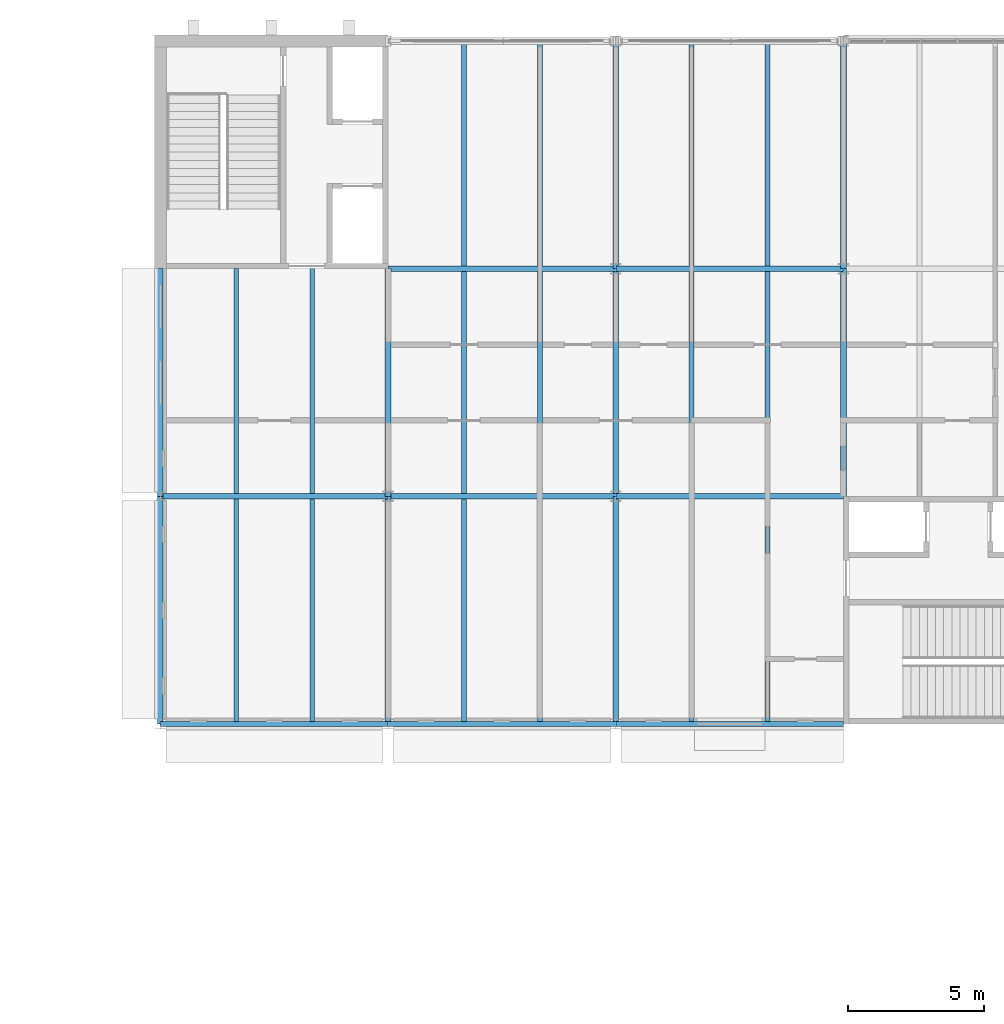
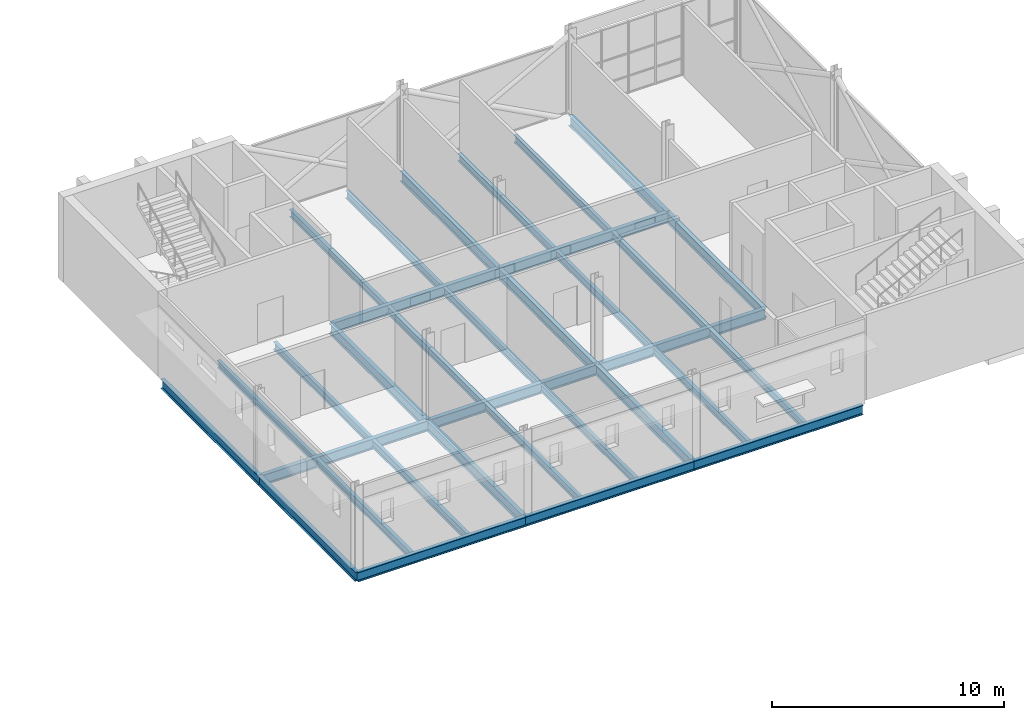
# One storey, part 7 of 22: 33 beams.
"""IFC4 building model written with IfcOpenShell, lengths in metres."""

import ifcopenshell
import ifcopenshell.guid

model = None  # the IFC model being written
_history = None  # IfcOwnerHistory: only IFC2X3 demands one
_inside = {}  # id of a spatial element -> (the spatial element, [elements in it])
_under = {}  # id of a project, library or spatial element -> (it, [spatial elements below it])
_declared = {}  # id of a project -> (the project, [libraries it declares])
_typed = {}  # id of a type object -> (the type object, [elements of that type])
_made_of = {}  # id of a material, layer set ... -> (it, [elements and type objects made of it])


def new_model(schema):
    """Start an empty IFC model of exactly this schema.

    Asked for "IFC4X3", IfcOpenShell would pick the latest addendum, in which some entities
    have other attributes; the version numbers below select the first issue.
    IFC2X3 requires an IfcOwnerHistory on every rooted entity: one is made here for all.
    """
    global model, _history
    if schema == "IFC4X3":
        model = ifcopenshell.file(schema_version=(4, 3, 0, 0))
    else:
        model = ifcopenshell.file(schema=schema)
    _inside.clear()
    _under.clear()
    _declared.clear()
    _typed.clear()
    _made_of.clear()
    _history = None
    if model.schema == "IFC2X3":
        org = make("IfcOrganization", Name="unknown")
        user = make(
            "IfcPersonAndOrganization",
            ThePerson=make("IfcPerson", FamilyName="unknown"),
            TheOrganization=org,
        )
        app = make(
            "IfcApplication",
            ApplicationDeveloper=org,
            Version="unknown",
            ApplicationFullName="unknown",
            ApplicationIdentifier="unknown",
        )
        _history = make(
            "IfcOwnerHistory",
            OwningUser=user,
            OwningApplication=app,
            ChangeAction="ADDED",
            CreationDate=0,
        )
    return model


def make(cls, **values):
    """One entity of the class cls with the attributes given. An attribute that is None is left unset."""
    return model.create_entity(
        cls, **{name: value for name, value in values.items() if value is not None}
    )


def rooted(cls, **values):
    """An entity with a GlobalId (a new one), such as an element, a storey or a relation."""
    return make(cls, GlobalId=ifcopenshell.guid.new(), OwnerHistory=_history, **values)


def si_unit(unit_type, name, prefix=None):
    """IfcSIUnit, for example si_unit("LENGTHUNIT", "METRE", prefix="MILLI")."""
    return make("IfcSIUnit", UnitType=unit_type, Prefix=prefix, Name=name)


def assignment(units):
    """IfcUnitAssignment: the units of a project."""
    return None if units is None else make("IfcUnitAssignment", Units=units)


def point(xyz):
    """IfcCartesianPoint."""
    return None if xyz is None else make("IfcCartesianPoint", Coordinates=xyz)


def direction(xyz):
    """IfcDirection."""
    return None if xyz is None else make("IfcDirection", DirectionRatios=xyz)


def frame(location, z_axis=None, x_axis=None):
    """IfcAxis2Placement3D, a coordinate frame: its origin and axes. An axis left out is left unset."""
    return make(
        "IfcAxis2Placement3D",
        Location=point(location),
        Axis=direction(z_axis),
        RefDirection=direction(x_axis),
    )


def frame_2d(location, x_axis=None):
    """IfcAxis2Placement2D, a coordinate frame in the plane: its origin and x axis."""
    return make(
        "IfcAxis2Placement2D", Location=point(location), RefDirection=direction(x_axis)
    )


def origin():
    """The frame at (0, 0, 0) with its axes left unset."""
    return frame((0.0, 0.0, 0.0))


def origin_2d():
    """The frame at (0, 0) in the plane with its x axis left unset."""
    return frame_2d((0.0, 0.0))


def place(relative_to, where):
    """IfcLocalPlacement: puts the frame where relative to a parent placement (None: the world)."""
    return make(
        "IfcLocalPlacement", PlacementRelTo=relative_to, RelativePlacement=where
    )


def context(
    kind, dimensions, precision=None, world=None, true_north=None, identifier=None
):
    """IfcGeometricRepresentationContext, for example the 3D "Model" context."""
    return make(
        "IfcGeometricRepresentationContext",
        ContextIdentifier=identifier,
        ContextType=kind,
        CoordinateSpaceDimension=dimensions,
        Precision=precision,
        WorldCoordinateSystem=world,
        TrueNorth=true_north,
    )


def subcontext(parent, identifier, kind, view, scale=None):
    """IfcGeometricRepresentationSubContext, for example "Body" below "Model"."""
    return make(
        "IfcGeometricRepresentationSubContext",
        ContextIdentifier=identifier,
        ContextType=kind,
        ParentContext=parent,
        TargetScale=scale,
        TargetView=view,
    )


def project(units=None, contexts=None):
    """IfcProject with its units and contexts."""
    return rooted(
        "IfcProject",
        Name="project",
        RepresentationContexts=contexts,
        UnitsInContext=assignment(units),
    )


def spatial(cls, under=None, at=None, **own):
    """A site, building, storey or space (cls), placed at a placement, below another one or the project."""
    s = rooted(cls, ObjectPlacement=at, **own)
    if under is not None:
        _under.setdefault(under.id(), (under, []))[1].append(s)
    return s


def profile(cls, at=None, kind="AREA", **sizes):
    """A parametric profile (cls). Its sizes go by their IFC names, for example OverallWidth=200.0."""
    return make(cls, ProfileType=kind, Position=at, **sizes)


def i_section(**sizes):
    """IfcIShapeProfileDef."""
    return profile("IfcIShapeProfileDef", **sizes)


def extrude(swept, where, along, depth):
    """IfcExtrudedAreaSolid: the profile swept, set in the frame where, extruded along a direction by depth."""
    return make(
        "IfcExtrudedAreaSolid",
        SweptArea=swept,
        Position=where,
        ExtrudedDirection=direction(along),
        Depth=depth,
    )


def shape(context_of_items, identifier, shape_type, items):
    """IfcShapeRepresentation: the items that make up one representation, for example the "Body"."""
    return make(
        "IfcShapeRepresentation",
        ContextOfItems=context_of_items,
        RepresentationIdentifier=identifier,
        RepresentationType=shape_type,
        Items=items,
    )


def material(Name=None, Category=None):
    """IfcMaterial."""
    return make("IfcMaterial", Name=Name, Category=Category)


def material_profile(
    of_material, cross_section, Name=None, Category=None, Priority=None
):
    """IfcMaterialProfile: a cross section and its material."""
    return make(
        "IfcMaterialProfile",
        Name=Name,
        Material=of_material,
        Profile=cross_section,
        Priority=Priority,
        Category=Category,
    )


def profile_set(profiles, Name=None, composite=None):
    """IfcMaterialProfileSet."""
    return make(
        "IfcMaterialProfileSet",
        Name=Name,
        MaterialProfiles=profiles,
        CompositeProfile=composite,
    )


def made_of(thing, what):
    """Note that an element or type object is made of a material, layer set ...; save() writes the relation."""
    if what is not None:
        _made_of.setdefault(what.id(), (what, []))[1].append(thing)
    return thing


def type_object(cls, material=None, **own):
    """A type object (cls), such as IfcWallType, which elements share."""
    return made_of(rooted(cls, **own), material)


def element(
    cls,
    number,
    at=None,
    inside=None,
    cuts=None,
    type_object=None,
    material=None,
    context=None,
    identifier="Body",
    shape_type=None,
    held_by="IfcProductDefinitionShape",
    body=None,
    shapes=None,
    **own,
):
    """One element of the class cls, such as IfcWall. Its Tag is "e" and its number.

    at: its placement. inside: the storey or other place that contains it. cuts: it is an
    opening in that element (IfcRelVoidsElement). A single representation is given by context,
    identifier, shape_type and body (its items); several are given by shapes. held_by: the class
    of the entity that holds the representations. save() writes the other relations.
    """
    e = rooted(cls, Tag="e%d" % number, ObjectPlacement=at, **own)
    if body is not None:
        shapes = [shape(context, identifier, shape_type, body)]
    if shapes is not None:
        e.Representation = make(held_by, Representations=shapes)
    if inside is not None:
        _inside.setdefault(inside.id(), (inside, []))[1].append(e)
    if cuts is not None:
        rooted(
            "IfcRelVoidsElement", RelatingBuildingElement=cuts, RelatedOpeningElement=e
        )
    if type_object is not None:
        _typed.setdefault(type_object.id(), (type_object, []))[1].append(e)
    return made_of(e, material)


def aggregate(whole, parts):
    """IfcRelAggregates: a whole, such as a stair, and the parts it consists of."""
    return rooted("IfcRelAggregates", RelatingObject=whole, RelatedObjects=parts)


def save(model, path):
    """Write the relations noted so far, then the file.

    IfcRelAggregates (storeys below a building ...), IfcRelContainedInSpatialStructure (elements
    in a storey), IfcRelDefinesByType, IfcRelAssociatesMaterial and IfcRelDeclares: one each for
    every whole, place, type object, material and project.
    """
    for whole, parts in _under.values():
        aggregate(whole, parts)
    for where, things in _inside.values():
        rooted(
            "IfcRelContainedInSpatialStructure",
            RelatedElements=things,
            RelatingStructure=where,
        )
    for kind, things in _typed.values():
        rooted("IfcRelDefinesByType", RelatedObjects=things, RelatingType=kind)
    for what, things in _made_of.values():
        rooted("IfcRelAssociatesMaterial", RelatedObjects=things, RelatingMaterial=what)
    for by, libraries in _declared.values():
        rooted("IfcRelDeclares", RelatingContext=by, RelatedDefinitions=libraries)
    model.write(path)


model = new_model("IFC4")

# Units and contexts
model_context = context("Model", 3, precision=1e-05, world=origin(), true_north=direction((0.0, 1.0)))
body_context = subcontext(model_context, "Body", "Model", "MODEL_VIEW")
ifc_project = project(units=[si_unit("LENGTHUNIT", "METRE"), si_unit("AREAUNIT", "SQUARE_METRE"), si_unit("VOLUMEUNIT", "CUBIC_METRE"), si_unit("PLANEANGLEUNIT", "RADIAN"), si_unit("MASSUNIT", "GRAM", prefix="KILO")], contexts=[model_context])

# Site, building, storey
site_placement = place(None, origin())
site = spatial("IfcSite", under=ifc_project, at=site_placement, CompositionType="ELEMENT")
building_placement = place(site_placement, origin())
building = spatial("IfcBuilding", under=site, at=building_placement, Name="Ardhachandra Cancer Care Centre", CompositionType="ELEMENT")
storey_placement = place(building_placement, frame((0.0, 0.0, 18.0)))
storey = spatial("IfcBuildingStorey", under=building, at=storey_placement, Name="L04", CompositionType="ELEMENT", Elevation=18.0)

# Beams
ifc_material_1 = material(Name="Steel E350 (IS 2062)", Category="steel")
ifc_material_profile_1 = material_profile(ifc_material_1, i_section(OverallWidth=0.179931640625, OverallDepth=0.39990234375, WebThickness=0.008544921875, FlangeThickness=0.013427734375, FilletRadius=0.02099609375, at=origin_2d()), Name="NPB 400x180x66.30")
ifc_profile_set_1 = profile_set([ifc_material_profile_1], Name="Steel E350 (IS 2062)")
beam_type_1 = type_object("IfcBeamType", Name="Beam NPB 400x180x66.30", PredefinedType="BEAM", material=ifc_profile_set_1)
beam_1_placement = place(storey_placement, frame((114.39990234375, 79.89990234375, -0.35009765625), z_axis=(0.0, 1.0, 0.0), x_axis=(-1.0, 0.0, 0.0)))
element("IfcBeam", 1, at=beam_1_placement, inside=storey, type_object=beam_type_1, Name="Secondary J13-K13@2800", PredefinedType="BEAM", context=body_context, shape_type="SweptSolid", body=[
    extrude(i_section(OverallWidth=0.179931640625, OverallDepth=0.39990234375, WebThickness=0.008544921875, FlangeThickness=0.013427734375, FilletRadius=0.02099609375, at=origin_2d()), origin(), (0.0, 0.0, 1.0), 8.195068359375),
])
beam_2_placement = place(storey_placement, frame((114.39990234375, 88.304931640625, -0.35009765625), z_axis=(0.0, 1.0, 0.0), x_axis=(-1.0, 0.0, 0.0)))
element("IfcBeam", 2, at=beam_2_placement, inside=storey, type_object=beam_type_1, Name="Secondary K13-L13@2800", PredefinedType="BEAM", context=body_context, shape_type="SweptSolid", body=[
    extrude(i_section(OverallWidth=0.179931640625, OverallDepth=0.39990234375, WebThickness=0.008544921875, FlangeThickness=0.013427734375, FilletRadius=0.02099609375, at=origin_2d()), origin(), (0.0, 0.0, 1.0), 8.295166015625),
])
beam_3_placement = place(storey_placement, frame((117.199951171875, 79.89990234375, -0.35009765625), z_axis=(0.0, 1.0, 0.0), x_axis=(-1.0, 0.0, 0.0)))
element("IfcBeam", 3, at=beam_3_placement, inside=storey, type_object=beam_type_1, Name="Secondary J13-K13@5600", PredefinedType="BEAM", context=body_context, shape_type="SweptSolid", body=[
    extrude(i_section(OverallWidth=0.179931640625, OverallDepth=0.39990234375, WebThickness=0.008544921875, FlangeThickness=0.013427734375, FilletRadius=0.02099609375, at=origin_2d()), origin(), (0.0, 0.0, 1.0), 8.195068359375),
])
beam_4_placement = place(storey_placement, frame((117.199951171875, 88.304931640625, -0.35009765625), z_axis=(0.0, 1.0, 0.0), x_axis=(-1.0, 0.0, 0.0)))
element("IfcBeam", 4, at=beam_4_placement, inside=storey, type_object=beam_type_1, Name="Secondary K13-L13@5600", PredefinedType="BEAM", context=body_context, shape_type="SweptSolid", body=[
    extrude(i_section(OverallWidth=0.179931640625, OverallDepth=0.39990234375, WebThickness=0.008544921875, FlangeThickness=0.013427734375, FilletRadius=0.02099609375, at=origin_2d()), origin(), (0.0, 0.0, 1.0), 8.295166015625),
])
beam_5_placement = place(storey_placement, frame((122.800048828125, 79.89990234375, -0.35009765625), z_axis=(0.0, 1.0, 0.0), x_axis=(-1.0, 0.0, 0.0)))
element("IfcBeam", 5, at=beam_5_placement, inside=storey, type_object=beam_type_1, Name="Secondary J14-K14@2800", PredefinedType="BEAM", context=body_context, shape_type="SweptSolid", body=[
    extrude(i_section(OverallWidth=0.179931640625, OverallDepth=0.39990234375, WebThickness=0.008544921875, FlangeThickness=0.013427734375, FilletRadius=0.02099609375, at=origin_2d()), origin(), (0.0, 0.0, 1.0), 8.195068359375),
])
beam_6_placement = place(storey_placement, frame((122.800048828125, 88.304931640625, -0.35009765625), z_axis=(0.0, 1.0, 0.0), x_axis=(-1.0, 0.0, 0.0)))
element("IfcBeam", 6, at=beam_6_placement, inside=storey, type_object=beam_type_1, Name="Secondary K14-L14@2800", PredefinedType="BEAM", context=body_context, shape_type="SweptSolid", body=[
    extrude(i_section(OverallWidth=0.179931640625, OverallDepth=0.39990234375, WebThickness=0.008544921875, FlangeThickness=0.013427734375, FilletRadius=0.02099609375, at=origin_2d()), origin(), (0.0, 0.0, 1.0), 8.190185546875),
])
beam_7_placement = place(storey_placement, frame((122.800048828125, 96.705078125, -0.35009765625), z_axis=(0.0, 1.0, 0.0), x_axis=(-1.0, 0.0, 0.0)))
element("IfcBeam", 7, at=beam_7_placement, inside=storey, type_object=beam_type_1, Name="Secondary L14-M14@2800", PredefinedType="BEAM", context=body_context, shape_type="SweptSolid", body=[
    extrude(i_section(OverallWidth=0.179931640625, OverallDepth=0.39990234375, WebThickness=0.008544921875, FlangeThickness=0.013427734375, FilletRadius=0.02099609375, at=origin_2d()), origin(), (0.0, 0.0, 1.0), 8.19482421875),
])
beam_8_placement = place(storey_placement, frame((125.60009765625, 79.89990234375, -0.35009765625), z_axis=(0.0, 1.0, 0.0), x_axis=(-1.0, 0.0, 0.0)))
element("IfcBeam", 8, at=beam_8_placement, inside=storey, type_object=beam_type_1, Name="Secondary J14-K14@5600", PredefinedType="BEAM", context=body_context, shape_type="SweptSolid", body=[
    extrude(i_section(OverallWidth=0.179931640625, OverallDepth=0.39990234375, WebThickness=0.008544921875, FlangeThickness=0.013427734375, FilletRadius=0.02099609375, at=origin_2d()), origin(), (0.0, 0.0, 1.0), 8.195068359375),
])
beam_9_placement = place(storey_placement, frame((125.60009765625, 88.304931640625, -0.35009765625), z_axis=(0.0, 1.0, 0.0), x_axis=(-1.0, 0.0, 0.0)))
element("IfcBeam", 9, at=beam_9_placement, inside=storey, type_object=beam_type_1, Name="Secondary K14-L14@5600", PredefinedType="BEAM", context=body_context, shape_type="SweptSolid", body=[
    extrude(i_section(OverallWidth=0.179931640625, OverallDepth=0.39990234375, WebThickness=0.008544921875, FlangeThickness=0.013427734375, FilletRadius=0.02099609375, at=origin_2d()), origin(), (0.0, 0.0, 1.0), 8.190185546875),
])
beam_10_placement = place(storey_placement, frame((125.60009765625, 96.705078125, -0.35009765625), z_axis=(0.0, 1.0, 0.0), x_axis=(-1.0, 0.0, 0.0)))
element("IfcBeam", 10, at=beam_10_placement, inside=storey, type_object=beam_type_1, Name="Secondary L14-M14@5600", PredefinedType="BEAM", context=body_context, shape_type="SweptSolid", body=[
    extrude(i_section(OverallWidth=0.179931640625, OverallDepth=0.39990234375, WebThickness=0.008544921875, FlangeThickness=0.013427734375, FilletRadius=0.02099609375, at=origin_2d()), origin(), (0.0, 0.0, 1.0), 8.19482421875),
])
beam_11_placement = place(storey_placement, frame((131.199951171875, 79.89990234375, -0.35009765625), z_axis=(0.0, 1.0, 0.0), x_axis=(-1.0, 0.0, 0.0)))
element("IfcBeam", 11, at=beam_11_placement, inside=storey, type_object=beam_type_1, Name="Secondary J15-K15@2800", PredefinedType="BEAM", context=body_context, shape_type="SweptSolid", body=[
    extrude(i_section(OverallWidth=0.179931640625, OverallDepth=0.39990234375, WebThickness=0.008544921875, FlangeThickness=0.013427734375, FilletRadius=0.02099609375, at=origin_2d()), origin(), (0.0, 0.0, 1.0), 8.195068359375),
])
beam_12_placement = place(storey_placement, frame((131.199951171875, 88.304931640625, -0.35009765625), z_axis=(0.0, 1.0, 0.0), x_axis=(-1.0, 0.0, 0.0)))
element("IfcBeam", 12, at=beam_12_placement, inside=storey, type_object=beam_type_1, Name="Secondary K15-L15@2800", PredefinedType="BEAM", context=body_context, shape_type="SweptSolid", body=[
    extrude(i_section(OverallWidth=0.179931640625, OverallDepth=0.39990234375, WebThickness=0.008544921875, FlangeThickness=0.013427734375, FilletRadius=0.02099609375, at=origin_2d()), origin(), (0.0, 0.0, 1.0), 8.190185546875),
])
beam_13_placement = place(storey_placement, frame((131.199951171875, 96.705078125, -0.35009765625), z_axis=(0.0, 1.0, 0.0), x_axis=(-1.0, 0.0, 0.0)))
element("IfcBeam", 13, at=beam_13_placement, inside=storey, type_object=beam_type_1, Name="Secondary L15-M15@2800", PredefinedType="BEAM", context=body_context, shape_type="SweptSolid", body=[
    extrude(i_section(OverallWidth=0.179931640625, OverallDepth=0.39990234375, WebThickness=0.008544921875, FlangeThickness=0.013427734375, FilletRadius=0.02099609375, at=origin_2d()), origin(), (0.0, 0.0, 1.0), 8.19482421875),
])
beam_14_placement = place(storey_placement, frame((134.0, 79.89990234375, -0.35009765625), z_axis=(0.0, 1.0, 0.0), x_axis=(-1.0, 0.0, 0.0)))
element("IfcBeam", 14, at=beam_14_placement, inside=storey, type_object=beam_type_1, Name="Secondary J15-K15@5600", PredefinedType="BEAM", context=body_context, shape_type="SweptSolid", body=[
    extrude(i_section(OverallWidth=0.179931640625, OverallDepth=0.39990234375, WebThickness=0.008544921875, FlangeThickness=0.013427734375, FilletRadius=0.02099609375, at=origin_2d()), origin(), (0.0, 0.0, 1.0), 8.195068359375),
])
beam_15_placement = place(storey_placement, frame((134.0, 88.304931640625, -0.35009765625), z_axis=(0.0, 1.0, 0.0), x_axis=(-1.0, 0.0, 0.0)))
element("IfcBeam", 15, at=beam_15_placement, inside=storey, type_object=beam_type_1, Name="Secondary K15-L15@5600", PredefinedType="BEAM", context=body_context, shape_type="SweptSolid", body=[
    extrude(i_section(OverallWidth=0.179931640625, OverallDepth=0.39990234375, WebThickness=0.008544921875, FlangeThickness=0.013427734375, FilletRadius=0.02099609375, at=origin_2d()), origin(), (0.0, 0.0, 1.0), 8.190185546875),
])
beam_16_placement = place(storey_placement, frame((134.0, 96.705078125, -0.35009765625), z_axis=(0.0, 1.0, 0.0), x_axis=(-1.0, 0.0, 0.0)))
element("IfcBeam", 16, at=beam_16_placement, inside=storey, type_object=beam_type_1, Name="Secondary L15-M15@5600", PredefinedType="BEAM", context=body_context, shape_type="SweptSolid", body=[
    extrude(i_section(OverallWidth=0.179931640625, OverallDepth=0.39990234375, WebThickness=0.008544921875, FlangeThickness=0.013427734375, FilletRadius=0.02099609375, at=origin_2d()), origin(), (0.0, 0.0, 1.0), 8.19482421875),
])
ifc_material_2 = material(Name="Steel E350 (IS 2062)", Category="steel")
ifc_material_profile_2 = material_profile(ifc_material_2, i_section(OverallWidth=0.199951171875, OverallDepth=0.5, WebThickness=0.01025390625, FlangeThickness=0.01611328125, FilletRadius=0.02099609375, at=origin_2d()), Name="NPB 500x200x90.68")
ifc_profile_set_2 = profile_set([ifc_material_profile_2], Name="Steel E350 (IS 2062)")
beam_type_2 = type_object("IfcBeamType", Name="Beam NPB 500x200x90.68", PredefinedType="BEAM", material=ifc_profile_set_2)
for number, where, z_axis, x_axis, name in (
    (17, (111.60009765625, 79.800048828125, -0.39990234375), (1.0, 0.0, 0.0), (0.0, 1.0, 0.0), "Edge girder J13-J14"),
    (18, (120.0, 79.800048828125, -0.39990234375), (1.0, 0.0, 0.0), (0.0, 1.0, 0.0), "Edge girder J14-J15"),
):
    element("IfcBeam", number, at=place(storey_placement, frame(where, z_axis=z_axis, x_axis=x_axis)), inside=storey, type_object=beam_type_2, Name=name, PredefinedType="BEAM", context=body_context, shape_type="SweptSolid", body=[
        extrude(i_section(OverallWidth=0.199951171875, OverallDepth=0.5, WebThickness=0.01025390625, FlangeThickness=0.01611328125, FilletRadius=0.02099609375, at=origin_2d()), origin(), (0.0, 0.0, 1.0), 8.39990234375),
    ])
beam_17_placement = place(storey_placement, frame((128.39990234375, 79.800048828125, -0.39990234375), z_axis=(1.0, 0.0, 0.0), x_axis=(0.0, 1.0, 0.0)))
element("IfcBeam", 19, at=beam_17_placement, inside=storey, type_object=beam_type_2, Name="Edge girder J15-J16", PredefinedType="BEAM", context=body_context, shape_type="SweptSolid", body=[
    extrude(i_section(OverallWidth=0.199951171875, OverallDepth=0.5, WebThickness=0.01025390625, FlangeThickness=0.01611328125, FilletRadius=0.02099609375, at=origin_2d()), origin(), (0.0, 0.0, 1.0), 8.400146484375),
])
beam_18_placement = place(storey_placement, frame((111.60009765625, 79.800048828125, -0.39990234375), z_axis=(0.0, 1.0, 0.0), x_axis=(-1.0, 0.0, 0.0)))
element("IfcBeam", 20, at=beam_18_placement, inside=storey, type_object=beam_type_2, Name="Edge girder J13-K13", PredefinedType="BEAM", context=body_context, shape_type="SweptSolid", body=[
    extrude(i_section(OverallWidth=0.199951171875, OverallDepth=0.5, WebThickness=0.01025390625, FlangeThickness=0.01611328125, FilletRadius=0.02099609375, at=origin_2d()), origin(), (0.0, 0.0, 1.0), 8.39990234375),
])
beam_19_placement = place(storey_placement, frame((111.60009765625, 88.199951171875, -0.39990234375), z_axis=(0.0, 1.0, 0.0), x_axis=(-1.0, 0.0, 0.0)))
element("IfcBeam", 21, at=beam_19_placement, inside=storey, type_object=beam_type_2, Name="Edge girder K13-L13", PredefinedType="BEAM", context=body_context, shape_type="SweptSolid", body=[
    extrude(i_section(OverallWidth=0.199951171875, OverallDepth=0.5, WebThickness=0.01025390625, FlangeThickness=0.01611328125, FilletRadius=0.02099609375, at=origin_2d()), origin(), (0.0, 0.0, 1.0), 8.400146484375),
])
ifc_material_3 = material(Name="Steel E350 (IS 2062)", Category="steel")
ifc_material_profile_3 = material_profile(ifc_material_3, i_section(OverallWidth=0.2099609375, OverallDepth=0.550048828125, WebThickness=0.010986328125, FlangeThickness=0.01708984375, FilletRadius=0.02392578125, at=origin_2d()), Name="NPB 550x210x105.52")
ifc_profile_set_3 = profile_set([ifc_material_profile_3], Name="Steel E350 (IS 2062)")
beam_type_3 = type_object("IfcBeamType", Name="Beam NPB 550x210x105.52", PredefinedType="BEAM", material=ifc_profile_set_3)
for number, where, z_axis, x_axis, name in (
    (22, (111.60009765625, 88.199951171875, -0.425048828125), (1.0, 0.0, 0.0), (0.0, 1.0, 0.0), "Girder K13-K14"),
    (23, (120.0, 88.199951171875, -0.425048828125), (1.0, 0.0, 0.0), (0.0, 1.0, 0.0), "Girder K14-K15"),
):
    element("IfcBeam", number, at=place(storey_placement, frame(where, z_axis=z_axis, x_axis=x_axis)), inside=storey, type_object=beam_type_3, Name=name, PredefinedType="BEAM", context=body_context, shape_type="SweptSolid", body=[
        extrude(i_section(OverallWidth=0.2099609375, OverallDepth=0.550048828125, WebThickness=0.010986328125, FlangeThickness=0.01708984375, FilletRadius=0.02392578125, at=origin_2d()), origin(), (0.0, 0.0, 1.0), 8.39990234375),
    ])
beam_20_placement = place(storey_placement, frame((128.39990234375, 88.199951171875, -0.425048828125), z_axis=(1.0, 0.0, 0.0), x_axis=(0.0, 1.0, 0.0)))
element("IfcBeam", 24, at=beam_20_placement, inside=storey, type_object=beam_type_3, Name="Girder K15-K16", PredefinedType="BEAM", context=body_context, shape_type="SweptSolid", body=[
    extrude(i_section(OverallWidth=0.2099609375, OverallDepth=0.550048828125, WebThickness=0.010986328125, FlangeThickness=0.01708984375, FilletRadius=0.02392578125, at=origin_2d()), origin(), (0.0, 0.0, 1.0), 8.400146484375),
])
beam_21_placement = place(storey_placement, frame((120.0, 96.60009765625, -0.425048828125), z_axis=(1.0, 0.0, 0.0), x_axis=(0.0, 1.0, 0.0)))
element("IfcBeam", 25, at=beam_21_placement, inside=storey, type_object=beam_type_3, Name="Girder L14-L15", PredefinedType="BEAM", context=body_context, shape_type="SweptSolid", body=[
    extrude(i_section(OverallWidth=0.2099609375, OverallDepth=0.550048828125, WebThickness=0.010986328125, FlangeThickness=0.01708984375, FilletRadius=0.02392578125, at=origin_2d()), origin(), (0.0, 0.0, 1.0), 8.39990234375),
])
beam_22_placement = place(storey_placement, frame((128.39990234375, 96.60009765625, -0.425048828125), z_axis=(1.0, 0.0, 0.0), x_axis=(0.0, 1.0, 0.0)))
element("IfcBeam", 26, at=beam_22_placement, inside=storey, type_object=beam_type_3, Name="Girder L15-L16", PredefinedType="BEAM", context=body_context, shape_type="SweptSolid", body=[
    extrude(i_section(OverallWidth=0.2099609375, OverallDepth=0.550048828125, WebThickness=0.010986328125, FlangeThickness=0.01708984375, FilletRadius=0.02392578125, at=origin_2d()), origin(), (0.0, 0.0, 1.0), 8.400146484375),
])
beam_23_placement = place(storey_placement, frame((120.0, 79.800048828125, -0.425048828125), z_axis=(0.0, 1.0, 0.0), x_axis=(-1.0, 0.0, 0.0)))
element("IfcBeam", 27, at=beam_23_placement, inside=storey, type_object=beam_type_3, Name="Girder J14-K14", PredefinedType="BEAM", context=body_context, shape_type="SweptSolid", body=[
    extrude(i_section(OverallWidth=0.2099609375, OverallDepth=0.550048828125, WebThickness=0.010986328125, FlangeThickness=0.01708984375, FilletRadius=0.02392578125, at=origin_2d()), origin(), (0.0, 0.0, 1.0), 8.39990234375),
])
beam_24_placement = place(storey_placement, frame((120.0, 88.199951171875, -0.425048828125), z_axis=(0.0, 1.0, 0.0), x_axis=(-1.0, 0.0, 0.0)))
element("IfcBeam", 28, at=beam_24_placement, inside=storey, type_object=beam_type_3, Name="Girder K14-L14", PredefinedType="BEAM", context=body_context, shape_type="SweptSolid", body=[
    extrude(i_section(OverallWidth=0.2099609375, OverallDepth=0.550048828125, WebThickness=0.010986328125, FlangeThickness=0.01708984375, FilletRadius=0.02392578125, at=origin_2d()), origin(), (0.0, 0.0, 1.0), 8.400146484375),
])
beam_25_placement = place(storey_placement, frame((128.39990234375, 79.800048828125, -0.425048828125), z_axis=(0.0, 1.0, 0.0), x_axis=(-1.0, 0.0, 0.0)))
element("IfcBeam", 29, at=beam_25_placement, inside=storey, type_object=beam_type_3, Name="Girder J15-K15", PredefinedType="BEAM", context=body_context, shape_type="SweptSolid", body=[
    extrude(i_section(OverallWidth=0.2099609375, OverallDepth=0.550048828125, WebThickness=0.010986328125, FlangeThickness=0.01708984375, FilletRadius=0.02392578125, at=origin_2d()), origin(), (0.0, 0.0, 1.0), 8.39990234375),
])
beam_26_placement = place(storey_placement, frame((128.39990234375, 88.199951171875, -0.425048828125), z_axis=(0.0, 1.0, 0.0), x_axis=(-1.0, 0.0, 0.0)))
element("IfcBeam", 30, at=beam_26_placement, inside=storey, type_object=beam_type_3, Name="Girder K15-L15", PredefinedType="BEAM", context=body_context, shape_type="SweptSolid", body=[
    extrude(i_section(OverallWidth=0.2099609375, OverallDepth=0.550048828125, WebThickness=0.010986328125, FlangeThickness=0.01708984375, FilletRadius=0.02392578125, at=origin_2d()), origin(), (0.0, 0.0, 1.0), 8.400146484375),
])
beam_27_placement = place(storey_placement, frame((128.39990234375, 96.60009765625, -0.425048828125), z_axis=(0.0, 1.0, 0.0), x_axis=(-1.0, 0.0, 0.0)))
element("IfcBeam", 31, at=beam_27_placement, inside=storey, type_object=beam_type_3, Name="Girder L15-M15", PredefinedType="BEAM", context=body_context, shape_type="SweptSolid", body=[
    extrude(i_section(OverallWidth=0.2099609375, OverallDepth=0.550048828125, WebThickness=0.010986328125, FlangeThickness=0.01708984375, FilletRadius=0.02392578125, at=origin_2d()), origin(), (0.0, 0.0, 1.0), 8.39990234375),
])
beam_28_placement = place(storey_placement, frame((136.800048828125, 88.199951171875, -0.425048828125), z_axis=(0.0, 1.0, 0.0), x_axis=(-1.0, 0.0, 0.0)))
element("IfcBeam", 32, at=beam_28_placement, inside=storey, type_object=beam_type_3, Name="Girder K16-L16", PredefinedType="BEAM", context=body_context, shape_type="SweptSolid", body=[
    extrude(i_section(OverallWidth=0.2099609375, OverallDepth=0.550048828125, WebThickness=0.010986328125, FlangeThickness=0.01708984375, FilletRadius=0.02392578125, at=origin_2d()), origin(), (0.0, 0.0, 1.0), 8.400146484375),
])
beam_29_placement = place(storey_placement, frame((136.800048828125, 96.60009765625, -0.425048828125), z_axis=(0.0, 1.0, 0.0), x_axis=(-1.0, 0.0, 0.0)))
element("IfcBeam", 33, at=beam_29_placement, inside=storey, type_object=beam_type_3, Name="Girder L16-M16", PredefinedType="BEAM", context=body_context, shape_type="SweptSolid", body=[
    extrude(i_section(OverallWidth=0.2099609375, OverallDepth=0.550048828125, WebThickness=0.010986328125, FlangeThickness=0.01708984375, FilletRadius=0.02392578125, at=origin_2d()), origin(), (0.0, 0.0, 1.0), 8.39990234375),
])

save(model, "model.ifc")
